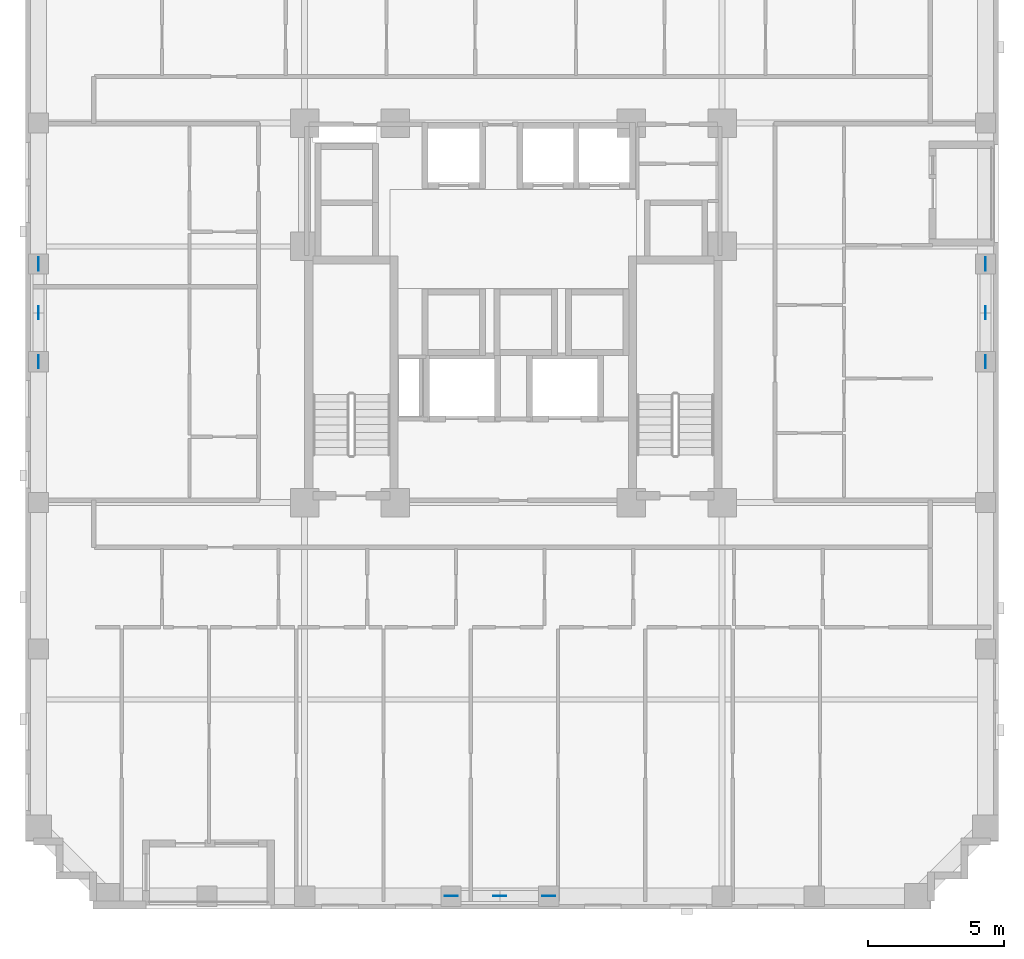
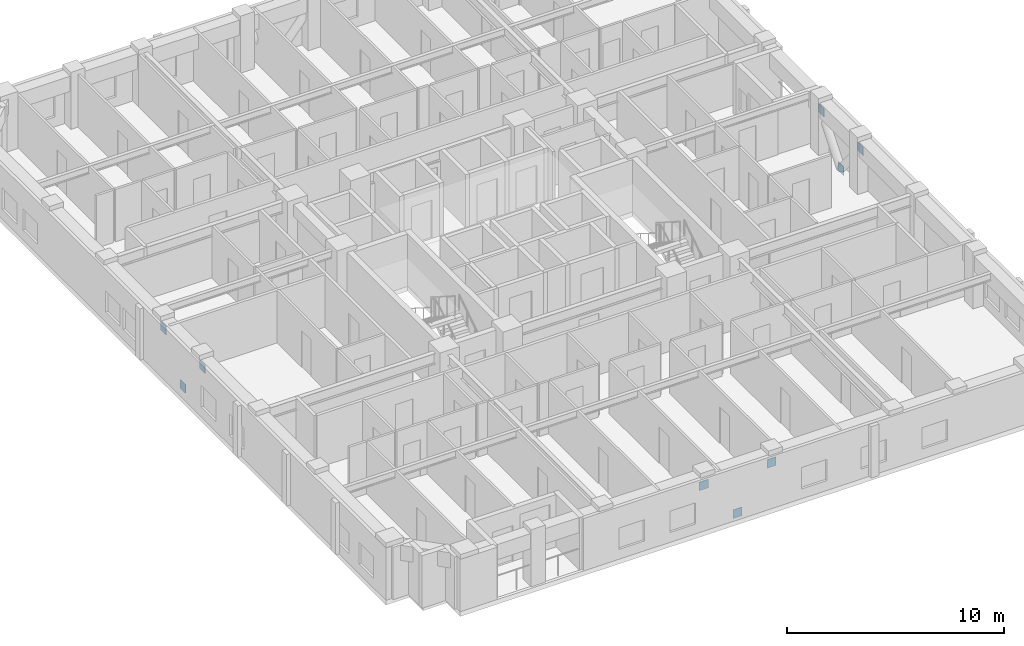
# One storey, part 10 of 13: 9 discrete accessories.
"""IFC4 building model written with IfcOpenShell, lengths in metres."""

import ifcopenshell
import ifcopenshell.guid

model = None  # the IFC model being written
_history = None  # IfcOwnerHistory: only IFC2X3 demands one
_inside = {}  # id of a spatial element -> (the spatial element, [elements in it])
_under = {}  # id of a project, library or spatial element -> (it, [spatial elements below it])
_declared = {}  # id of a project -> (the project, [libraries it declares])
_typed = {}  # id of a type object -> (the type object, [elements of that type])
_made_of = {}  # id of a material, layer set ... -> (it, [elements and type objects made of it])


def new_model(schema):
    """Start an empty IFC model of exactly this schema.

    Asked for "IFC4X3", IfcOpenShell would pick the latest addendum, in which some entities
    have other attributes; the version numbers below select the first issue.
    IFC2X3 requires an IfcOwnerHistory on every rooted entity: one is made here for all.
    """
    global model, _history
    if schema == "IFC4X3":
        model = ifcopenshell.file(schema_version=(4, 3, 0, 0))
    else:
        model = ifcopenshell.file(schema=schema)
    _inside.clear()
    _under.clear()
    _declared.clear()
    _typed.clear()
    _made_of.clear()
    _history = None
    if model.schema == "IFC2X3":
        org = make("IfcOrganization", Name="unknown")
        user = make(
            "IfcPersonAndOrganization",
            ThePerson=make("IfcPerson", FamilyName="unknown"),
            TheOrganization=org,
        )
        app = make(
            "IfcApplication",
            ApplicationDeveloper=org,
            Version="unknown",
            ApplicationFullName="unknown",
            ApplicationIdentifier="unknown",
        )
        _history = make(
            "IfcOwnerHistory",
            OwningUser=user,
            OwningApplication=app,
            ChangeAction="ADDED",
            CreationDate=0,
        )
    return model


def make(cls, **values):
    """One entity of the class cls with the attributes given. An attribute that is None is left unset."""
    return model.create_entity(
        cls, **{name: value for name, value in values.items() if value is not None}
    )


def rooted(cls, **values):
    """An entity with a GlobalId (a new one), such as an element, a storey or a relation."""
    return make(cls, GlobalId=ifcopenshell.guid.new(), OwnerHistory=_history, **values)


def si_unit(unit_type, name, prefix=None):
    """IfcSIUnit, for example si_unit("LENGTHUNIT", "METRE", prefix="MILLI")."""
    return make("IfcSIUnit", UnitType=unit_type, Prefix=prefix, Name=name)


def derived_unit(unit_type, elements):
    """IfcDerivedUnit: a product of units, each with its exponent."""
    return make(
        "IfcDerivedUnit",
        Elements=[
            make("IfcDerivedUnitElement", Unit=unit, Exponent=power)
            for unit, power in elements
        ],
        UnitType=unit_type,
    )


def assignment(units):
    """IfcUnitAssignment: the units of a project."""
    return None if units is None else make("IfcUnitAssignment", Units=units)


def point(xyz):
    """IfcCartesianPoint."""
    return None if xyz is None else make("IfcCartesianPoint", Coordinates=xyz)


def direction(xyz):
    """IfcDirection."""
    return None if xyz is None else make("IfcDirection", DirectionRatios=xyz)


def frame(location, z_axis=None, x_axis=None):
    """IfcAxis2Placement3D, a coordinate frame: its origin and axes. An axis left out is left unset."""
    return make(
        "IfcAxis2Placement3D",
        Location=point(location),
        Axis=direction(z_axis),
        RefDirection=direction(x_axis),
    )


def frame_2d(location, x_axis=None):
    """IfcAxis2Placement2D, a coordinate frame in the plane: its origin and x axis."""
    return make(
        "IfcAxis2Placement2D", Location=point(location), RefDirection=direction(x_axis)
    )


def origin():
    """The frame at (0, 0, 0) with its axes left unset."""
    return frame((0.0, 0.0, 0.0))


def origin_2d():
    """The frame at (0, 0) in the plane with its x axis left unset."""
    return frame_2d((0.0, 0.0))


def place(relative_to, where):
    """IfcLocalPlacement: puts the frame where relative to a parent placement (None: the world)."""
    return make(
        "IfcLocalPlacement", PlacementRelTo=relative_to, RelativePlacement=where
    )


def context(
    kind, dimensions, precision=None, world=None, true_north=None, identifier=None
):
    """IfcGeometricRepresentationContext, for example the 3D "Model" context."""
    return make(
        "IfcGeometricRepresentationContext",
        ContextIdentifier=identifier,
        ContextType=kind,
        CoordinateSpaceDimension=dimensions,
        Precision=precision,
        WorldCoordinateSystem=world,
        TrueNorth=true_north,
    )


def subcontext(parent, identifier, kind, view, scale=None):
    """IfcGeometricRepresentationSubContext, for example "Body" below "Model"."""
    return make(
        "IfcGeometricRepresentationSubContext",
        ContextIdentifier=identifier,
        ContextType=kind,
        ParentContext=parent,
        TargetScale=scale,
        TargetView=view,
    )


def project(units=None, contexts=None):
    """IfcProject with its units and contexts."""
    return rooted(
        "IfcProject",
        Name="project",
        RepresentationContexts=contexts,
        UnitsInContext=assignment(units),
    )


def spatial(cls, under=None, at=None, **own):
    """A site, building, storey or space (cls), placed at a placement, below another one or the project."""
    s = rooted(cls, ObjectPlacement=at, **own)
    if under is not None:
        _under.setdefault(under.id(), (under, []))[1].append(s)
    return s


def profile(cls, at=None, kind="AREA", **sizes):
    """A parametric profile (cls). Its sizes go by their IFC names, for example OverallWidth=200.0."""
    return make(cls, ProfileType=kind, Position=at, **sizes)


def rectangle(**sizes):
    """IfcRectangleProfileDef."""
    return profile("IfcRectangleProfileDef", **sizes)


def extrude(swept, where, along, depth):
    """IfcExtrudedAreaSolid: the profile swept, set in the frame where, extruded along a direction by depth."""
    return make(
        "IfcExtrudedAreaSolid",
        SweptArea=swept,
        Position=where,
        ExtrudedDirection=direction(along),
        Depth=depth,
    )


def shape(context_of_items, identifier, shape_type, items):
    """IfcShapeRepresentation: the items that make up one representation, for example the "Body"."""
    return make(
        "IfcShapeRepresentation",
        ContextOfItems=context_of_items,
        RepresentationIdentifier=identifier,
        RepresentationType=shape_type,
        Items=items,
    )


def material(Name=None, Category=None):
    """IfcMaterial."""
    return make("IfcMaterial", Name=Name, Category=Category)


def layer(
    of_material, thickness, ventilated=None, Name=None, Category=None, Priority=None
):
    """IfcMaterialLayer: one layer of a wall or slab, of a material (None: an air gap)."""
    return make(
        "IfcMaterialLayer",
        Material=of_material,
        LayerThickness=thickness,
        IsVentilated=ventilated,
        Name=Name,
        Category=Category,
        Priority=Priority,
    )


def layer_set(layers, Name=None):
    """IfcMaterialLayerSet."""
    return make("IfcMaterialLayerSet", MaterialLayers=layers, LayerSetName=Name)


def made_of(thing, what):
    """Note that an element or type object is made of a material, layer set ...; save() writes the relation."""
    if what is not None:
        _made_of.setdefault(what.id(), (what, []))[1].append(thing)
    return thing


def type_object(cls, material=None, **own):
    """A type object (cls), such as IfcWallType, which elements share."""
    return made_of(rooted(cls, **own), material)


def element(
    cls,
    number,
    at=None,
    inside=None,
    cuts=None,
    type_object=None,
    material=None,
    context=None,
    identifier="Body",
    shape_type=None,
    held_by="IfcProductDefinitionShape",
    body=None,
    shapes=None,
    **own,
):
    """One element of the class cls, such as IfcWall. Its Tag is "e" and its number.

    at: its placement. inside: the storey or other place that contains it. cuts: it is an
    opening in that element (IfcRelVoidsElement). A single representation is given by context,
    identifier, shape_type and body (its items); several are given by shapes. held_by: the class
    of the entity that holds the representations. save() writes the other relations.
    """
    e = rooted(cls, Tag="e%d" % number, ObjectPlacement=at, **own)
    if body is not None:
        shapes = [shape(context, identifier, shape_type, body)]
    if shapes is not None:
        e.Representation = make(held_by, Representations=shapes)
    if inside is not None:
        _inside.setdefault(inside.id(), (inside, []))[1].append(e)
    if cuts is not None:
        rooted(
            "IfcRelVoidsElement", RelatingBuildingElement=cuts, RelatedOpeningElement=e
        )
    if type_object is not None:
        _typed.setdefault(type_object.id(), (type_object, []))[1].append(e)
    return made_of(e, material)


def aggregate(whole, parts):
    """IfcRelAggregates: a whole, such as a stair, and the parts it consists of."""
    return rooted("IfcRelAggregates", RelatingObject=whole, RelatedObjects=parts)


def save(model, path):
    """Write the relations noted so far, then the file.

    IfcRelAggregates (storeys below a building ...), IfcRelContainedInSpatialStructure (elements
    in a storey), IfcRelDefinesByType, IfcRelAssociatesMaterial and IfcRelDeclares: one each for
    every whole, place, type object, material and project.
    """
    for whole, parts in _under.values():
        aggregate(whole, parts)
    for where, things in _inside.values():
        rooted(
            "IfcRelContainedInSpatialStructure",
            RelatedElements=things,
            RelatingStructure=where,
        )
    for kind, things in _typed.values():
        rooted("IfcRelDefinesByType", RelatedObjects=things, RelatingType=kind)
    for what, things in _made_of.values():
        rooted("IfcRelAssociatesMaterial", RelatedObjects=things, RelatingMaterial=what)
    for by, libraries in _declared.values():
        rooted("IfcRelDeclares", RelatingContext=by, RelatedDefinitions=libraries)
    model.write(path)


model = new_model("IFC4")

# Units and contexts
model_context = context("Model", 3, precision=1e-05, world=origin(), true_north=direction((0.0, 1.0)))
body_context = subcontext(model_context, "Body", "Model", "MODEL_VIEW")
ifc_project = project(units=[si_unit("LENGTHUNIT", "METRE"), si_unit("AREAUNIT", "SQUARE_METRE"), si_unit("VOLUMEUNIT", "CUBIC_METRE"), si_unit("PLANEANGLEUNIT", "RADIAN"), si_unit("MASSUNIT", "GRAM", prefix="KILO"), derived_unit("THERMALTRANSMITTANCEUNIT", [(si_unit("MASSUNIT", "GRAM", prefix="KILO"), 1), (si_unit("TIMEUNIT", "SECOND"), -3), (si_unit("THERMODYNAMICTEMPERATUREUNIT", "KELVIN"), -1)])], contexts=[model_context])

# Site, building, storey
site_placement = place(None, origin())
site = spatial("IfcSite", under=ifc_project, at=site_placement, CompositionType="ELEMENT")
building_placement = place(site_placement, origin())
building = spatial("IfcBuilding", under=site, at=building_placement, Name="Korrvale Station Residences", CompositionType="ELEMENT")
storey_placement = place(building_placement, frame((0.0, 0.0, 97.5)))
storey = spatial("IfcBuildingStorey", under=building, at=storey_placement, Name="L27", CompositionType="ELEMENT", Elevation=97.5)

# Discrete accessories
ifc_material = material(Name="Steel S355", Category="steel")
ifc_layer = layer(ifc_material, 0.02490234375, Name="Steel S355")
ifc_layer_set = layer_set([ifc_layer], Name="Steel S355")
discrete_accessory_type = type_object("IfcDiscreteAccessoryType", Name="ACC-GUSSET-25", PredefinedType="BRACKET", material=ifc_layer_set)
for number, where, z_axis, x_axis, name in (
    (1, (25.0, 0.47998046875, -0.219970703125), (0.0, 0.0, 1.0), (1.0, 0.0, 0.0), "L27 S Brace End Gusset Connection M"),
    (2, (23.199951171875, 0.47998046875, 1.969970703125), (0.0, 0.0, 1.0), (1.0, 0.0, 0.0), "L27 S Brace End Gusset Connection A"),
    (3, (26.800048828125, 0.47998046875, 1.969970703125), (0.0, 0.0, 1.0), (1.0, 0.0, 0.0), "L27 S Brace End Gusset Connection B"),
    (4, (7.97998046875, 22.0, -0.219970703125), (0.0, 0.0, 1.0), (0.0, 1.0, 0.0), "L27 W Brace End Gusset Connection M"),
    (5, (7.97998046875, 20.199951171875, 1.969970703125), (0.0, 0.0, 1.0), (0.0, 1.0, 0.0), "L27 W Brace End Gusset Connection A"),
    (6, (7.97998046875, 23.800048828125, 1.969970703125), (0.0, 0.0, 1.0), (0.0, 1.0, 0.0), "L27 W Brace End Gusset Connection B"),
    (7, (42.919921875, 22.0, -0.219970703125), (0.0, 0.0, 1.0), (0.0, 1.0, 0.0), "L27 E Brace End Gusset Connection M"),
    (8, (42.919921875, 20.199951171875, 1.969970703125), (0.0, 0.0, 1.0), (0.0, 1.0, 0.0), "L27 E Brace End Gusset Connection A"),
    (9, (42.919921875, 23.800048828125, 1.969970703125), (0.0, 0.0, 1.0), (0.0, 1.0, 0.0), "L27 E Brace End Gusset Connection B"),
):
    element("IfcDiscreteAccessory", number, at=place(storey_placement, frame(where, z_axis=z_axis, x_axis=x_axis)), inside=storey, type_object=discrete_accessory_type, Name=name, PredefinedType="BRACKET", context=body_context, shape_type="SweptSolid", body=[
        extrude(rectangle(XDim=0.47998046875, YDim=0.02490234375, at=origin_2d()), origin(), (0.0, 0.0, 1.0), 0.47998046875),
    ])

save(model, "model.ifc")
